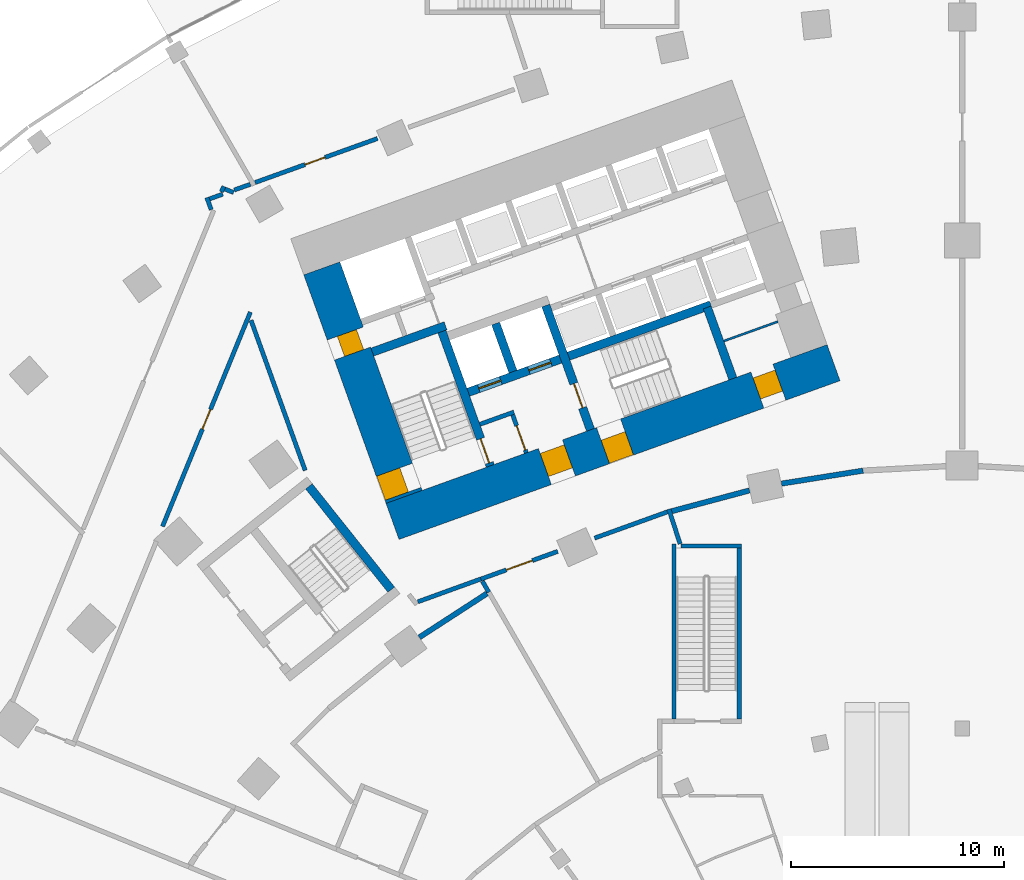
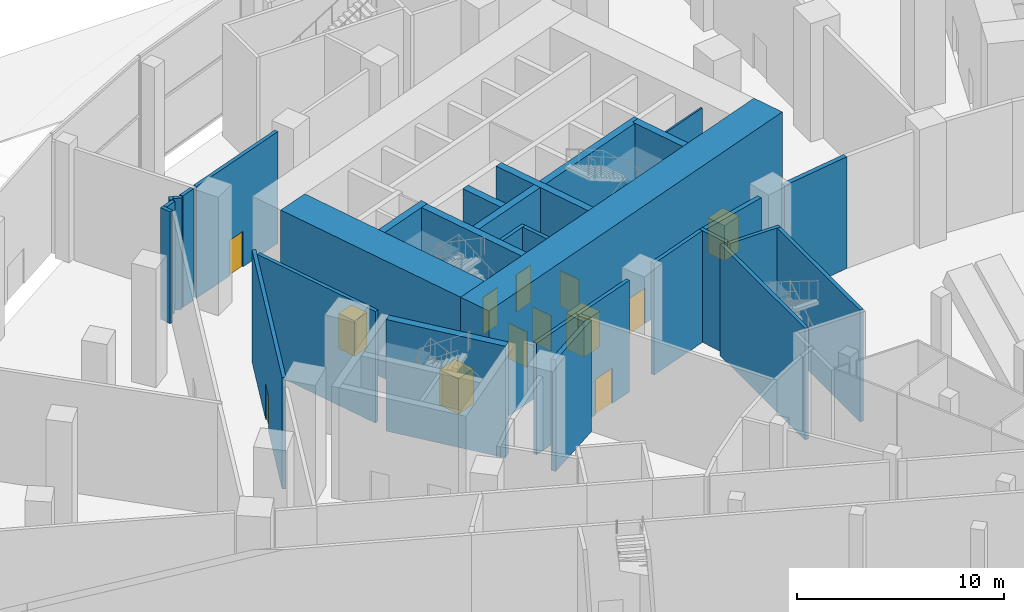
# One storey, part 32 of 60: 31 walls, 13 doors, 13 openings.
"""IFC4 building model written with IfcOpenShell, lengths in metres."""

from ifc_helpers import new_model, si_unit, direction, frame, frame_2d, origin, place, context, subcontext, project, spatial, rectangle, extrude, material, layer, layer_set, type_object, element, fill, save


model = new_model("IFC4")

# Units and contexts
model_context = context("Model", 3, precision=1e-05, world=origin(), true_north=direction((0.0, 1.0)))
body_context = subcontext(model_context, "Body", "Model", "MODEL_VIEW")
ifc_project = project(units=[si_unit("LENGTHUNIT", "METRE"), si_unit("AREAUNIT", "SQUARE_METRE"), si_unit("VOLUMEUNIT", "CUBIC_METRE"), si_unit("PLANEANGLEUNIT", "RADIAN"), si_unit("MASSUNIT", "GRAM", prefix="KILO")], contexts=[model_context])

# Site, building, storey
site_placement = place(None, origin())
site = spatial("IfcSite", under=ifc_project, at=site_placement, CompositionType="ELEMENT")
building_placement = place(site_placement, origin())
building = spatial("IfcBuilding", under=site, at=building_placement, Name="Stone Belt Terrace Tower", CompositionType="ELEMENT")
storey_placement = place(building_placement, origin())
storey = spatial("IfcBuildingStorey", under=building, at=storey_placement, Name="L00", CompositionType="ELEMENT", Elevation=0.0)

# Walls
ifc_material_1 = material(Name="Concrete B30", Category="concrete")
ifc_layer_1 = layer(ifc_material_1, 0.25)
ifc_layer_set_1 = layer_set([ifc_layer_1], Name="Compartment wall 250")
wall_type_1 = type_object("IfcWallType", Name="Compartment wall 250", PredefinedType="SOLIDWALL", material=ifc_layer_set_1)
wall_1_placement = place(storey_placement, frame((-25.478515625, 36.376220703125, 0.0), z_axis=(0.0, 0.0, 1.0), x_axis=(0.838942975709, 0.544219334008, 0.0)))
element("IfcWall", 1, at=wall_1_placement, inside=storey, type_object=wall_type_1, Name="Compartment wall L00 3", PredefinedType="SOLIDWALL", context=body_context, shape_type="SweptSolid", body=[
    extrude(rectangle(XDim=3.783935546875, YDim=0.25, at=frame_2d((1.89208984375, 0.0))), origin(), (0.0, 0.0, 1.0), 6.60009765625),
])
ifc_material_2 = material(Name="Plasterboard partition")
ifc_layer_2 = layer(ifc_material_2, 0.10009765625)
ifc_layer_set_2 = layer_set([ifc_layer_2], Name="Core partition 100")
wall_type_2 = type_object("IfcWallType", Name="Core partition 100", PredefinedType="PARTITIONING", material=ifc_layer_set_2)
wall_2_placement = place(storey_placement, frame((-11.187744140625, 50.2822265625, 0.0), z_axis=(0.0, 0.0, 1.0), x_axis=(0.940949642365, 0.338546555931, 0.0)))
element("IfcWall", 2, at=wall_2_placement, inside=storey, type_object=wall_type_2, Name="Core A wall", PredefinedType="PARTITIONING", context=body_context, shape_type="SweptSolid", body=[
    extrude(rectangle(XDim=2.699951171875, YDim=0.10009765625, at=frame_2d((1.35009765625, 0.0))), origin(), (0.0, 0.0, 1.0), 6.60009765625),
])

# Wall, openings, doors
ifc_material_3 = material(Name="Concrete B80", Category="concrete")
ifc_layer_3 = layer(ifc_material_3, 1.800048828125)
ifc_layer_set_3 = layer_set([ifc_layer_3], Name="Core wall 1800 B80")
wall_type_3 = type_object("IfcWallType", Name="Core wall 1800 B80", PredefinedType="SHEAR", material=ifc_layer_set_3)
wall_3_placement = place(storey_placement, frame((-26.739501953125, 41.815673828125, 0.0), z_axis=(0.0, 0.0, 1.0), x_axis=(0.940921642213, 0.338624368902, 0.0)))
wall_3 = element("IfcWall", 3, at=wall_3_placement, inside=storey, type_object=wall_type_3, Name="Core A wall concave L00", PredefinedType="SHEAR", context=body_context, shape_type="SweptSolid", body=[
    extrude(rectangle(XDim=22.0, YDim=1.800048828125, at=frame_2d((11.0, 0.0))), origin(), (0.0, 0.0, 1.0), 7.0),
])
opening_1_placement = place(wall_3_placement, frame((7.60009765625, 0.0, 0.0)))
opening_1 = element("IfcOpeningElement", 4, at=opening_1_placement, cuts=wall_3, Name="Opening L00-C07", PredefinedType="OPENING", context=body_context, shape_type="SweptSolid", body=[
    extrude(rectangle(XDim=1.199951171875, YDim=2.10009765625, at=frame_2d((0.60009765625, 1.050048828125))), frame((0.0, 0.909912109375, 0.0), z_axis=(0.0, -1.0, 0.0), x_axis=(1.0, 0.0, 0.0)), (0.0, 0.0, 1.0), 1.820068359375),
])
opening_2_placement = place(wall_3_placement, frame((10.5, 0.0, 0.0)))
opening_2 = element("IfcOpeningElement", 5, at=opening_2_placement, cuts=wall_3, Name="Opening L00-C10", PredefinedType="OPENING", context=body_context, shape_type="SweptSolid", body=[
    extrude(rectangle(XDim=1.199951171875, YDim=2.10009765625, at=frame_2d((0.60009765625, 1.050048828125))), frame((0.0, 0.909912109375, 0.0), z_axis=(0.0, -1.0, 0.0), x_axis=(1.0, 0.0, 0.0)), (0.0, 0.0, 1.0), 1.820068359375),
])
opening_3_placement = place(wall_3_placement, frame((18.199951171875, 0.0, 0.0)))
opening_3 = element("IfcOpeningElement", 6, at=opening_3_placement, cuts=wall_3, Name="Opening L00-C12", PredefinedType="OPENING", context=body_context, shape_type="SweptSolid", body=[
    extrude(rectangle(XDim=1.10009765625, YDim=2.10009765625, at=frame_2d((0.550048828125, 1.050048828125))), frame((0.0, 0.909912109375, 0.0), z_axis=(0.0, -1.0, 0.0), x_axis=(1.0, 0.0, 0.0)), (0.0, 0.0, 1.0), 1.820068359375),
])
ifc_material_4 = material(Name="Timber door leaf", Category="wood")
door_type_1 = type_object("IfcDoorType", Name="Core room door 1100", OperationType="SINGLE_SWING_LEFT", PredefinedType="DOOR", material=ifc_material_4)
door_1_placement = place(opening_3_placement, origin())
door_1 = element("IfcDoor", 7, at=door_1_placement, inside=storey, type_object=door_type_1, Name="Door to Cleaner's store core A", OperationType="SINGLE_SWING_LEFT", OverallHeight=2.10009765625, OverallWidth=1.10009765625, PredefinedType="DOOR", context=body_context, shape_type="SweptSolid", body=[
    extrude(rectangle(XDim=1.10009765625, YDim=2.10009765625, at=frame_2d((0.550048828125, 1.050048828125))), frame((0.0, 0.60498046875, 0.0), z_axis=(0.0, -1.0, 0.0), x_axis=(1.0, 0.0, 0.0)), (0.0, 0.0, 1.0), 1.050048828125),
])
fill(opening_3, door_1)
ifc_material_5 = material(Name="Steel door leaf", Category="steel")
door_type_2 = type_object("IfcDoorType", Name="Fire-fighting lobby door 1200", OperationType="SINGLE_SWING_LEFT", PredefinedType="DOOR", material=ifc_material_5)
door_2_placement = place(opening_1_placement, origin())
door_2 = element("IfcDoor", 8, at=door_2_placement, inside=storey, type_object=door_type_2, Name="Fire-fighting lobby door core A", OperationType="SINGLE_SWING_LEFT", OverallHeight=2.10009765625, OverallWidth=1.199951171875, PredefinedType="DOOR", context=body_context, shape_type="SweptSolid", body=[
    extrude(rectangle(XDim=1.199951171875, YDim=2.10009765625, at=frame_2d((0.60009765625, 1.050048828125))), frame((0.0, 0.655029296875, 0.0), z_axis=(0.0, -1.0, 0.0), x_axis=(1.0, 0.0, 0.0)), (0.0, 0.0, 1.0), 1.14990234375),
])
fill(opening_1, door_2)
door_type_3 = type_object("IfcDoorType", Name="Stair door 1200", OperationType="SINGLE_SWING_LEFT", PredefinedType="DOOR", material=ifc_material_5)
door_3_placement = place(opening_2_placement, origin())
door_3 = element("IfcDoor", 9, at=door_3_placement, inside=storey, type_object=door_type_3, Name="Stair 2 exit door core A", OperationType="SINGLE_SWING_RIGHT", OverallHeight=2.10009765625, OverallWidth=1.199951171875, PredefinedType="DOOR", context=body_context, shape_type="SweptSolid", body=[
    extrude(rectangle(XDim=1.199951171875, YDim=2.10009765625, at=frame_2d((0.60009765625, 1.050048828125))), frame((0.0, 0.27001953125, 0.0), z_axis=(0.0, -1.0, 0.0), x_axis=(1.0, 0.0, 0.0)), (0.0, 0.0, 1.0), 1.14990234375),
])
fill(opening_2, door_3)

wall_4_placement = place(storey_placement, frame((-26.197509765625, 42.96728515625, 0.0), z_axis=(0.0, 0.0, 1.0), x_axis=(-0.338625431531, 0.940921259788, 0.0)))
wall_4 = element("IfcWall", 10, at=wall_4_placement, inside=storey, type_object=wall_type_3, Name="Core A wall end_a L00", PredefinedType="SHEAR", context=body_context, shape_type="SweptSolid", body=[
    extrude(rectangle(XDim=11.400146484375, YDim=1.800048828125, at=frame_2d((5.7001953125, 0.0))), origin(), (0.0, 0.0, 1.0), 7.0),
])
opening_4_placement = place(wall_4_placement, frame((7.150146484375, 0.0, 0.0)))
opening_4 = element("IfcOpeningElement", 11, at=opening_4_placement, cuts=wall_4, Name="Opening L00-C01", PredefinedType="OPENING", context=body_context, shape_type="SweptSolid", body=[
    extrude(rectangle(XDim=1.0, YDim=2.10009765625, at=frame_2d((0.5, 1.050048828125))), frame((0.0, 0.909912109375, 0.0), z_axis=(0.0, -1.0, 0.0), x_axis=(1.0, 0.0, 0.0)), (0.0, 0.0, 1.0), 1.820068359375),
])
opening_5_placement = place(wall_4_placement, frame((0.14990234375, 0.0, 0.0)))
opening_5 = element("IfcOpeningElement", 12, at=opening_5_placement, cuts=wall_4, Name="Opening L00-C09", PredefinedType="OPENING", context=body_context, shape_type="SweptSolid", body=[
    extrude(rectangle(XDim=1.199951171875, YDim=2.10009765625, at=frame_2d((0.60009765625, 1.050048828125))), frame((0.0, 0.909912109375, 0.0), z_axis=(0.0, -1.0, 0.0), x_axis=(1.0, 0.0, 0.0)), (0.0, 0.0, 1.0), 1.820068359375),
])
door_type_4 = type_object("IfcDoorType", Name="Core room door 1000", OperationType="SINGLE_SWING_LEFT", PredefinedType="DOOR", material=ifc_material_4)
door_4_placement = place(opening_4_placement, origin())
door_4 = element("IfcDoor", 13, at=door_4_placement, inside=storey, type_object=door_type_4, Name="Door to Telecommunications riser room core A", OperationType="SINGLE_SWING_RIGHT", OverallHeight=2.10009765625, OverallWidth=1.0, PredefinedType="DOOR", context=body_context, shape_type="SweptSolid", body=[
    extrude(rectangle(XDim=1.0, YDim=2.10009765625, at=frame_2d((0.5, 1.050048828125))), frame((0.0, 0.39501953125, 0.0), z_axis=(0.0, -1.0, 0.0), x_axis=(1.0, 0.0, 0.0)), (0.0, 0.0, 1.0), 0.949951171875),
])
fill(opening_4, door_4)
door_5_placement = place(opening_5_placement, origin())
door_5 = element("IfcDoor", 14, at=door_5_placement, inside=storey, type_object=door_type_3, Name="Stair 1 exit door core A", OperationType="SINGLE_SWING_LEFT", OverallHeight=2.10009765625, OverallWidth=1.199951171875, PredefinedType="DOOR", context=body_context, shape_type="SweptSolid", body=[
    extrude(rectangle(XDim=1.199951171875, YDim=2.10009765625, at=frame_2d((0.60009765625, 1.050048828125))), frame((0.0, 0.8798828125, 0.0), z_axis=(0.0, -1.0, 0.0), x_axis=(1.0, 0.0, 0.0)), (0.0, 0.0, 1.0), 1.14990234375),
])
fill(opening_5, door_5)

# Walls
ifc_layer_4 = layer(ifc_material_3, 0.39990234375)
ifc_layer_set_4 = layer_set([ifc_layer_4], Name="Fire-fighting lift shaft wall 400")
wall_type_4 = type_object("IfcWallType", Name="Fire-fighting lift shaft wall 400", PredefinedType="SHEAR", material=ifc_layer_set_4)
wall_5_placement = place(storey_placement, frame((-21.0859375, 48.845458984375, 0.0), z_axis=(0.0, 0.0, 1.0), x_axis=(-0.338629416206, 0.940919825745, 0.0)))
element("IfcWall", 15, at=wall_5_placement, inside=storey, type_object=wall_type_4, Name="Core A wall", PredefinedType="SHEAR", context=body_context, shape_type="SweptSolid", body=[
    extrude(rectangle(XDim=2.400146484375, YDim=0.39990234375, at=frame_2d((1.2001953125, 0.0))), origin(), (0.0, 0.0, 1.0), 6.60009765625),
])
ifc_material_6 = material(Name="Fire-resistant glazing in steel frame", Category="steel")
ifc_layer_5 = layer(ifc_material_6, 0.25)
ifc_layer_set_5 = layer_set([ifc_layer_5], Name="Glazed compartment fire screen 250")
wall_type_5 = type_object("IfcWallType", Name="Glazed compartment fire screen 250", PredefinedType="PARTITIONING", material=ifc_layer_set_5)
wall_6_placement = place(storey_placement, frame((-13.63330078125, 42.2958984375, 0.0), z_axis=(0.0, 0.0, 1.0), x_axis=(0.966100738004, 0.258165381159, 0.0)))
element("IfcWall", 16, at=wall_6_placement, inside=storey, type_object=wall_type_5, Name="Compartment fire screen L00 4", PredefinedType="PARTITIONING", context=body_context, shape_type="SweptSolid", body=[
    extrude(rectangle(XDim=3.778076171875, YDim=0.25, at=frame_2d((1.88916015625, 0.0))), origin(), (0.0, 0.0, 1.0), 6.60009765625),
])
wall_7_placement = place(storey_placement, frame((-8.4794921875, 43.5908203125, 0.0), z_axis=(0.0, 0.0, 1.0), x_axis=(0.98758230791, 0.157102466888, 0.0)))
element("IfcWall", 17, at=wall_7_placement, inside=storey, type_object=wall_type_5, Name="Compartment fire screen L00 5", PredefinedType="PARTITIONING", context=body_context, shape_type="SweptSolid", body=[
    extrude(rectangle(XDim=3.87109375, YDim=0.25, at=frame_2d((1.935546875, 0.0))), origin(), (0.0, 0.0, 1.0), 6.60009765625),
])

# Wall, opening, door
ifc_material_7 = material(Name="Blockwork wall, plastered both faces", Category="masonry")
ifc_layer_6 = layer(ifc_material_7, 0.199951171875)
ifc_layer_set_6 = layer_set([ifc_layer_6], Name="Podium demising wall 200")
wall_type_6 = type_object("IfcWallType", Name="Podium demising wall 200", PredefinedType="PARTITIONING", material=ifc_layer_set_6)
wall_8_placement = place(storey_placement, frame((-37.53515625, 41.58251953125, 0.0), z_axis=(0.0, 0.0, 1.0), x_axis=(0.379263463295, 0.925288725431, 0.0)))
wall_8 = element("IfcWall", 18, at=wall_8_placement, inside=storey, type_object=wall_type_6, Name="Podium demising wall 200", PredefinedType="PARTITIONING", context=body_context, shape_type="SweptSolid", body=[
    extrude(rectangle(XDim=10.867431640625, YDim=0.199951171875, at=frame_2d((5.43359375, 0.0))), origin(), (0.0, 0.0, 1.0), 6.60009765625),
])
opening_6_placement = place(wall_8_placement, frame((4.93359375, 0.0, 0.0)))
opening_6 = element("IfcOpeningElement", 19, at=opening_6_placement, cuts=wall_8, Name="Opening L00-P27", PredefinedType="OPENING", context=body_context, shape_type="SweptSolid", body=[
    extrude(rectangle(XDim=1.0, YDim=2.10009765625, at=frame_2d((0.5, 1.050048828125))), frame((0.0, 0.10986328125, 0.0), z_axis=(0.0, -1.0, 0.0), x_axis=(1.0, 0.0, 0.0)), (0.0, 0.0, 1.0), 0.219970703125),
])
ifc_material_8 = material(Name="Steel framed door leaf", Category="steel")
door_type_5 = type_object("IfcDoorType", Name="Podium door single 1000", OperationType="SINGLE_SWING_LEFT", PredefinedType="DOOR", material=ifc_material_8)
door_6_placement = place(opening_6_placement, origin())
door_6 = element("IfcDoor", 20, at=door_6_placement, inside=storey, type_object=door_type_5, Name="Podium door single 1000", OperationType="SINGLE_SWING_LEFT", OverallHeight=2.10009765625, OverallWidth=1.0, PredefinedType="DOOR", context=body_context, shape_type="SweptSolid", body=[
    extrude(rectangle(XDim=1.0, YDim=2.10009765625, at=frame_2d((0.5, 1.050048828125))), frame((0.0, 0.02490234375, 0.0), z_axis=(0.0, -1.0, 0.0), x_axis=(1.0, 0.0, 0.0)), (0.0, 0.0, 1.0), 0.050048828125),
])
fill(opening_6, door_6)

# Walls
wall_9_placement = place(storey_placement, frame((-35.453857421875, 57.01416015625, 0.0), z_axis=(0.0, 0.0, 1.0), x_axis=(0.338260388571, -0.941052554071, 0.0)))
element("IfcWall", 21, at=wall_9_placement, inside=storey, type_object=wall_type_6, Name="Podium demising wall 200", PredefinedType="PARTITIONING", context=body_context, shape_type="SweptSolid", body=[
    extrude(rectangle(XDim=0.602783203125, YDim=0.199951171875, at=frame_2d((0.30126953125, 0.0))), origin(), (0.0, 0.0, 1.0), 6.60009765625),
])
wall_10_placement = place(storey_placement, frame((-35.325927734375, 56.9541015625, 0.0), z_axis=(0.0, 0.0, 1.0), x_axis=(0.940282310296, 0.340395618279, 0.0)))
element("IfcWall", 22, at=wall_10_placement, inside=storey, type_object=wall_type_6, Name="Podium demising wall 200", PredefinedType="PARTITIONING", context=body_context, shape_type="SweptSolid", body=[
    extrude(rectangle(XDim=0.65478515625, YDim=0.199951171875, at=frame_2d((0.327392578125, 0.0))), origin(), (0.0, 0.0, 1.0), 6.60009765625),
])
wall_11_placement = place(storey_placement, frame((-34.772705078125, 57.283935546875, 0.0), z_axis=(0.0, 0.0, 1.0), x_axis=(0.40081883402, 0.916157334902, 0.0)))
element("IfcWall", 23, at=wall_11_placement, inside=storey, type_object=wall_type_6, Name="Podium demising wall 200", PredefinedType="PARTITIONING", context=body_context, shape_type="SweptSolid", body=[
    extrude(rectangle(XDim=0.281494140625, YDim=0.199951171875, at=frame_2d((0.140625, 0.0))), origin(), (0.0, 0.0, 1.0), 6.60009765625),
])
wall_12_placement = place(storey_placement, frame((-34.606689453125, 57.413818359375, 0.0), z_axis=(0.0, 0.0, 1.0), x_axis=(0.931962923306, -0.362553595463, 0.0)))
element("IfcWall", 24, at=wall_12_placement, inside=storey, type_object=wall_type_6, Name="Podium demising wall 200", PredefinedType="PARTITIONING", context=body_context, shape_type="SweptSolid", body=[
    extrude(rectangle(XDim=0.43896484375, YDim=0.199951171875, at=frame_2d((0.219482421875, 0.0))), origin(), (0.0, 0.0, 1.0), 6.60009765625),
])
wall_13_placement = place(storey_placement, frame((-34.16943359375, 57.37060546875, 0.0), z_axis=(0.0, 0.0, 1.0), x_axis=(0.942105887189, 0.335315519061, 0.0)))
element("IfcWall", 25, at=wall_13_placement, inside=storey, type_object=wall_type_6, Name="Podium demising wall 200", PredefinedType="PARTITIONING", context=body_context, shape_type="SweptSolid", body=[
    extrude(rectangle(XDim=0.802978515625, YDim=0.199951171875, at=frame_2d((0.4013671875, 0.0))), origin(), (0.0, 0.0, 1.0), 6.60009765625),
])
wall_14_placement = place(storey_placement, frame((-33.382080078125, 51.25634765625, 0.0), z_axis=(0.0, 0.0, 1.0), x_axis=(0.339344914253, -0.940662016439, 0.0)))
element("IfcWall", 26, at=wall_14_placement, inside=storey, type_object=wall_type_6, Name="Podium demising wall 200", PredefinedType="PARTITIONING", context=body_context, shape_type="SweptSolid", body=[
    extrude(rectangle(XDim=7.490966796875, YDim=0.199951171875, at=frame_2d((3.74560546875, 0.0))), origin(), (0.0, 0.0, 1.0), 6.60009765625),
])

# Wall, opening, door
wall_15_placement = place(storey_placement, frame((-33.19140625, 57.72265625, 0.0), z_axis=(0.0, 0.0, 1.0), x_axis=(0.940992368131, 0.338427781247, 0.0)))
wall_15 = element("IfcWall", 27, at=wall_15_placement, inside=storey, type_object=wall_type_6, Name="Podium demising wall 200", PredefinedType="PARTITIONING", context=body_context, shape_type="SweptSolid", body=[
    extrude(rectangle(XDim=6.10595703125, YDim=0.199951171875, at=frame_2d((3.052978515625, 0.0))), origin(), (0.0, 0.0, 1.0), 6.60009765625),
])
opening_7_placement = place(wall_15_placement, frame((2.489990234375, 0.0, 0.0)))
opening_7 = element("IfcOpeningElement", 28, at=opening_7_placement, cuts=wall_15, Name="Opening L00-P28", PredefinedType="OPENING", context=body_context, shape_type="SweptSolid", body=[
    extrude(rectangle(XDim=1.0, YDim=2.10009765625, at=frame_2d((0.5, 1.050048828125))), frame((0.0, 0.10986328125, 0.0), z_axis=(0.0, -1.0, 0.0), x_axis=(1.0, 0.0, 0.0)), (0.0, 0.0, 1.0), 0.219970703125),
])
door_7_placement = place(opening_7_placement, origin())
door_7 = element("IfcDoor", 29, at=door_7_placement, inside=storey, type_object=door_type_5, Name="Podium door single 1000", OperationType="SINGLE_SWING_RIGHT", OverallHeight=2.10009765625, OverallWidth=1.0, PredefinedType="DOOR", context=body_context, shape_type="SweptSolid", body=[
    extrude(rectangle(XDim=1.0, YDim=2.10009765625, at=frame_2d((0.5, 1.050048828125))), frame((0.0, 0.02490234375, 0.0), z_axis=(0.0, -1.0, 0.0), x_axis=(1.0, 0.0, 0.0)), (0.0, 0.0, 1.0), 0.050048828125),
])
fill(opening_7, door_7)

# Wall
wall_16_placement = place(storey_placement, frame((-25.55029296875, 38.04345703125, 0.0), z_axis=(0.0, 0.0, 1.0), x_axis=(0.940150986103, 0.340758159593, 0.0)))
element("IfcWall", 30, at=wall_16_placement, inside=storey, type_object=wall_type_6, Name="Podium demising wall 200", PredefinedType="PARTITIONING", context=body_context, shape_type="SweptSolid", body=[
    extrude(rectangle(XDim=3.145263671875, YDim=0.199951171875, at=frame_2d((1.57275390625, 0.0))), origin(), (0.0, 0.0, 1.0), 6.60009765625),
])

# Wall, opening, door
wall_17_placement = place(storey_placement, frame((-22.590087890625, 39.110107421875, 0.0), z_axis=(0.0, 0.0, 1.0), x_axis=(0.940763016755, 0.339064811365, 0.0)))
wall_17 = element("IfcWall", 31, at=wall_17_placement, inside=storey, type_object=wall_type_6, Name="Podium demising wall 200", PredefinedType="PARTITIONING", context=body_context, shape_type="SweptSolid", body=[
    extrude(rectangle(XDim=3.829833984375, YDim=0.199951171875, at=frame_2d((1.9150390625, 0.0))), origin(), (0.0, 0.0, 1.0), 6.60009765625),
])
opening_8_placement = place(wall_17_placement, frame((1.264892578125, 0.0, 0.0)))
opening_8 = element("IfcOpeningElement", 32, at=opening_8_placement, cuts=wall_17, Name="Opening L00-P29", PredefinedType="OPENING", context=body_context, shape_type="SweptSolid", body=[
    extrude(rectangle(XDim=1.300048828125, YDim=2.10009765625, at=frame_2d((0.64990234375, 1.050048828125))), frame((0.0, 0.10986328125, 0.0), z_axis=(0.0, -1.0, 0.0), x_axis=(1.0, 0.0, 0.0)), (0.0, 0.0, 1.0), 0.219970703125),
])
ifc_material_9 = material(Name="Steel framed fire door leaf", Category="steel")
door_type_6 = type_object("IfcDoorType", Name="Fire door 1300 x 2100 EI 60", OperationType="SINGLE_SWING_LEFT", PredefinedType="DOOR", material=ifc_material_9)
door_8_placement = place(opening_8_placement, origin())
door_8 = element("IfcDoor", 33, at=door_8_placement, inside=storey, type_object=door_type_6, Name="Fire door 1300 x 2100 EI 60", OperationType="SINGLE_SWING_LEFT", OverallHeight=2.10009765625, OverallWidth=1.300048828125, PredefinedType="DOOR", context=body_context, shape_type="SweptSolid", body=[
    extrude(rectangle(XDim=1.300048828125, YDim=2.10009765625, at=frame_2d((0.64990234375, 1.050048828125))), frame((0.0, 0.02490234375, 0.0), z_axis=(0.0, -1.0, 0.0), x_axis=(1.0, 0.0, 0.0)), (0.0, 0.0, 1.0), 0.050048828125),
])
fill(opening_8, door_8)

# Walls
wall_18_placement = place(storey_placement, frame((-17.25341796875, 41.03369140625, 0.0), z_axis=(0.0, 0.0, 1.0), x_axis=(0.940767339238, 0.339052818044, 0.0)))
element("IfcWall", 34, at=wall_18_placement, inside=storey, type_object=wall_type_6, Name="Podium demising wall 200", PredefinedType="PARTITIONING", context=body_context, shape_type="SweptSolid", body=[
    extrude(rectangle(XDim=3.630615234375, YDim=0.199951171875, at=frame_2d((1.8154296875, 0.0))), origin(), (0.0, 0.0, 1.0), 6.60009765625),
])
wall_19_placement = place(storey_placement, frame((-22.521728515625, 39.009765625, 0.0), z_axis=(0.0, 0.0, 1.0), x_axis=(0.501772812563, -0.86499944773, 0.0)))
element("IfcWall", 35, at=wall_19_placement, inside=storey, type_object=wall_type_6, Name="Podium demising wall 200", PredefinedType="PARTITIONING", context=body_context, shape_type="SweptSolid", body=[
    extrude(rectangle(XDim=0.600830078125, YDim=0.199951171875, at=frame_2d((0.30029296875, 0.0))), origin(), (0.0, 0.0, 1.0), 6.60009765625),
])
wall_20_placement = place(storey_placement, frame((-13.7685546875, 42.38916015625, 0.0), z_axis=(0.0, 0.0, 1.0), x_axis=(0.307444388482, -0.951566050251, 0.0)))
element("IfcWall", 36, at=wall_20_placement, inside=storey, type_object=wall_type_6, Name="Podium demising wall 200", PredefinedType="PARTITIONING", context=body_context, shape_type="SweptSolid", body=[
    extrude(rectangle(XDim=1.712158203125, YDim=0.199951171875, at=frame_2d((0.85595703125, 0.0))), origin(), (0.0, 0.0, 1.0), 6.60009765625),
])
ifc_layer_7 = layer(ifc_material_1, 0.199951171875)
ifc_layer_set_7 = layer_set([ifc_layer_7], Name="Podium stair and shaft wall 200")
wall_type_7 = type_object("IfcWallType", Name="Podium stair and shaft wall 200", PredefinedType="SOLIDWALL", material=ifc_layer_set_7)
wall_21_placement = place(storey_placement, frame((-13.530029296875, 32.5400390625, 0.0), z_axis=(0.0, 0.0, 1.0), x_axis=(0.0, 1.0, 0.0)))
element("IfcWall", 37, at=wall_21_placement, inside=storey, type_object=wall_type_7, Name="Podium stair and shaft wall 200", PredefinedType="SOLIDWALL", context=body_context, shape_type="SweptSolid", body=[
    extrude(rectangle(XDim=8.219970703125, YDim=0.199951171875, at=frame_2d((4.10986328125, 0.0))), origin(), (0.0, 0.0, 1.0), 6.60009765625),
])
wall_22_placement = place(storey_placement, frame((-13.2099609375, 40.659912109375, 0.0), z_axis=(0.0, 0.0, 1.0), x_axis=(1.0, 0.0, 0.0)))
element("IfcWall", 38, at=wall_22_placement, inside=storey, type_object=wall_type_7, Name="Podium stair and shaft wall 200", PredefinedType="SOLIDWALL", context=body_context, shape_type="SweptSolid", body=[
    extrude(rectangle(XDim=2.83984375, YDim=0.199951171875, at=frame_2d((1.419921875, 0.0))), origin(), (0.0, 0.0, 1.0), 6.60009765625),
])
wall_23_placement = place(storey_placement, frame((-10.469970703125, 32.5400390625, 0.0), z_axis=(0.0, 0.0, 1.0), x_axis=(0.0, 1.0, 0.0)))
element("IfcWall", 39, at=wall_23_placement, inside=storey, type_object=wall_type_7, Name="Podium stair and shaft wall 200", PredefinedType="SOLIDWALL", context=body_context, shape_type="SweptSolid", body=[
    extrude(rectangle(XDim=8.02001953125, YDim=0.199951171875, at=frame_2d((4.010009765625, 0.0))), origin(), (0.0, 0.0, 1.0), 6.60009765625),
])
ifc_material_10 = material(Name="Concrete masonry block", Category="masonry")
ifc_layer_8 = layer(ifc_material_10, 0.199951171875)
ifc_layer_set_8 = layer_set([ifc_layer_8], Name="Rated lobby wall 200")
wall_type_8 = type_object("IfcWallType", Name="Rated lobby wall 200", PredefinedType="PARTITIONING", material=ifc_layer_set_8)
wall_24_placement = place(storey_placement, frame((-22.640625, 46.373046875, 0.0), z_axis=(0.0, 0.0, 1.0), x_axis=(0.940966110313, 0.338500781747, 0.0)))
element("IfcWall", 40, at=wall_24_placement, inside=storey, type_object=wall_type_8, Name="Core A wall", PredefinedType="PARTITIONING", context=body_context, shape_type="SweptSolid", body=[
    extrude(rectangle(XDim=1.699951171875, YDim=0.199951171875, at=frame_2d((0.85009765625, 0.0))), origin(), (0.0, 0.0, 1.0), 6.60009765625),
])

# Wall, opening, door
wall_25_placement = place(storey_placement, frame((-20.4580078125, 45.032958984375, 0.0), z_axis=(0.0, 0.0, 1.0), x_axis=(-0.338573865316, 0.940939816208, 0.0)))
wall_25 = element("IfcWall", 41, at=wall_25_placement, inside=storey, type_object=wall_type_8, Name="Core A wall", PredefinedType="PARTITIONING", context=body_context, shape_type="SweptSolid", body=[
    extrude(rectangle(XDim=1.900146484375, YDim=0.199951171875, at=frame_2d((0.9501953125, 0.0))), origin(), (0.0, 0.0, 1.0), 6.60009765625),
])
opening_9_placement = place(wall_25_placement, frame((0.14990234375, 0.0, 0.0)))
opening_9 = element("IfcOpeningElement", 42, at=opening_9_placement, cuts=wall_25, Name="Opening L00-C06", PredefinedType="OPENING", context=body_context, shape_type="SweptSolid", body=[
    extrude(rectangle(XDim=1.199951171875, YDim=2.10009765625, at=frame_2d((0.60009765625, 1.050048828125))), frame((0.0, 0.10986328125, 0.0), z_axis=(0.0, -1.0, 0.0), x_axis=(1.0, 0.0, 0.0)), (0.0, 0.0, 1.0), 0.219970703125),
])
door_9_placement = place(opening_9_placement, origin())
door_9 = element("IfcDoor", 43, at=door_9_placement, inside=storey, type_object=door_type_3, Name="Stair airlock door core A", OperationType="SINGLE_SWING_LEFT", OverallHeight=2.10009765625, OverallWidth=1.199951171875, PredefinedType="DOOR", context=body_context, shape_type="SweptSolid", body=[
    extrude(rectangle(XDim=1.199951171875, YDim=2.10009765625, at=frame_2d((0.60009765625, 1.050048828125))), frame((0.0, 0.02490234375, 0.0), z_axis=(0.0, -1.0, 0.0), x_axis=(1.0, 0.0, 0.0)), (0.0, 0.0, 1.0), 0.050048828125),
])
fill(opening_9, door_9)

# Wall
ifc_layer_9 = layer(ifc_material_3, 0.39990234375)
ifc_layer_set_9 = layer_set([ifc_layer_9], Name="Stair enclosure wall 400")
wall_type_9 = type_object("IfcWallType", Name="Stair enclosure wall 400", PredefinedType="SHEAR", material=ifc_layer_set_9)
wall_26_placement = place(storey_placement, frame((-27.687255859375, 49.764404296875, 0.0), z_axis=(0.0, 0.0, 1.0), x_axis=(0.940918954884, 0.338631835981, 0.0)))
element("IfcWall", 44, at=wall_26_placement, inside=storey, type_object=wall_type_9, Name="Core A wall", PredefinedType="SHEAR", context=body_context, shape_type="SweptSolid", body=[
    extrude(rectangle(XDim=3.650146484375, YDim=0.39990234375, at=frame_2d((1.8251953125, 0.0))), origin(), (0.0, 0.0, 1.0), 6.60009765625),
])

# Wall, opening, door
wall_27_placement = place(storey_placement, frame((-22.151611328125, 44.42333984375, 0.0), z_axis=(0.0, 0.0, 1.0), x_axis=(-0.338625272931, 0.940921316866, 0.0)))
wall_27 = element("IfcWall", 45, at=wall_27_placement, inside=storey, type_object=wall_type_9, Name="Core A wall", PredefinedType="SHEAR", context=body_context, shape_type="SweptSolid", body=[
    extrude(rectangle(XDim=6.699951171875, YDim=0.39990234375, at=frame_2d((3.35009765625, 0.0))), origin(), (0.0, 0.0, 1.0), 6.60009765625),
])
opening_10_placement = place(wall_27_placement, frame((0.14990234375, 0.0, 0.0)))
opening_10 = element("IfcOpeningElement", 46, at=opening_10_placement, cuts=wall_27, Name="Opening L00-C05", PredefinedType="OPENING", context=body_context, shape_type="SweptSolid", body=[
    extrude(rectangle(XDim=1.199951171875, YDim=2.10009765625, at=frame_2d((0.60009765625, 1.050048828125))), frame((0.0, 0.2099609375, 0.0), z_axis=(0.0, -1.0, 0.0), x_axis=(1.0, 0.0, 0.0)), (0.0, 0.0, 1.0), 0.419921875),
])
door_10_placement = place(opening_10_placement, origin())
door_10 = element("IfcDoor", 47, at=door_10_placement, inside=storey, type_object=door_type_3, Name="Stair 1 door core A", OperationType="SINGLE_SWING_LEFT", OverallHeight=2.10009765625, OverallWidth=1.199951171875, PredefinedType="DOOR", context=body_context, shape_type="SweptSolid", body=[
    extrude(rectangle(XDim=1.199951171875, YDim=2.10009765625, at=frame_2d((0.60009765625, 1.050048828125))), frame((0.0, 0.02490234375, 0.0), z_axis=(0.0, -1.0, 0.0), x_axis=(1.0, 0.0, 0.0)), (0.0, 0.0, 1.0), 0.050048828125),
])
fill(opening_10, door_10)

# Wall, openings, doors
wall_28_placement = place(storey_placement, frame((-23.182373046875, 47.87841796875, 0.0), z_axis=(0.0, 0.0, 1.0), x_axis=(0.940921101762, 0.338625870628, 0.0)))
wall_28 = element("IfcWall", 48, at=wall_28_placement, inside=storey, type_object=wall_type_9, Name="Core A wall", PredefinedType="SHEAR", context=body_context, shape_type="SweptSolid", body=[
    extrude(rectangle(XDim=12.10009765625, YDim=0.39990234375, at=frame_2d((6.050048828125, 0.0))), origin(), (0.0, 0.0, 1.0), 6.60009765625),
])
opening_11_placement = place(wall_28_placement, frame((0.52001953125, 0.0, 0.0)))
opening_11 = element("IfcOpeningElement", 49, at=opening_11_placement, cuts=wall_28, Name="Opening L00-LD07", PredefinedType="OPENING", context=body_context, shape_type="SweptSolid", body=[
    extrude(rectangle(XDim=1.10009765625, YDim=2.199951171875, at=frame_2d((0.550048828125, 1.10009765625))), frame((0.0, 0.2099609375, 0.0), z_axis=(0.0, -1.0, 0.0), x_axis=(1.0, 0.0, 0.0)), (0.0, 0.0, 1.0), 0.419921875),
])
opening_12_placement = place(wall_28_placement, frame((3.02001953125, 0.0, 0.0)))
opening_12 = element("IfcOpeningElement", 50, at=opening_12_placement, cuts=wall_28, Name="Opening L00-LD08", PredefinedType="OPENING", context=body_context, shape_type="SweptSolid", body=[
    extrude(rectangle(XDim=1.10009765625, YDim=2.199951171875, at=frame_2d((0.550048828125, 1.10009765625))), frame((0.0, 0.2099609375, 0.0), z_axis=(0.0, -1.0, 0.0), x_axis=(1.0, 0.0, 0.0)), (0.0, 0.0, 1.0), 0.419921875),
])
ifc_material_11 = material(Name="Stainless steel door leaf", Category="steel")
door_type_7 = type_object("IfcDoorType", Name="Landing door 1100", OperationType="SLIDING_TO_LEFT", PredefinedType="DOOR", material=ifc_material_11)
door_11_placement = place(opening_11_placement, origin())
door_11 = element("IfcDoor", 51, at=door_11_placement, inside=storey, type_object=door_type_7, Name="Landing door FF1 core A", OperationType="SLIDING_TO_LEFT", OverallHeight=2.199951171875, OverallWidth=1.10009765625, PredefinedType="DOOR", context=body_context, shape_type="SweptSolid", body=[
    extrude(rectangle(XDim=1.10009765625, YDim=2.199951171875, at=frame_2d((0.550048828125, 1.10009765625))), frame((0.0, 0.02490234375, 0.0), z_axis=(0.0, -1.0, 0.0), x_axis=(1.0, 0.0, 0.0)), (0.0, 0.0, 1.0), 0.050048828125),
])
fill(opening_11, door_11)
door_12_placement = place(opening_12_placement, origin())
door_12 = element("IfcDoor", 52, at=door_12_placement, inside=storey, type_object=door_type_7, Name="Landing door FF2 core A", OperationType="SLIDING_TO_LEFT", OverallHeight=2.199951171875, OverallWidth=1.10009765625, PredefinedType="DOOR", context=body_context, shape_type="SweptSolid", body=[
    extrude(rectangle(XDim=1.10009765625, YDim=2.199951171875, at=frame_2d((0.550048828125, 1.10009765625))), frame((0.0, 0.02490234375, 0.0), z_axis=(0.0, -1.0, 0.0), x_axis=(1.0, 0.0, 0.0)), (0.0, 0.0, 1.0), 0.050048828125),
])
fill(opening_12, door_12)

# Wall, opening, door
wall_29_placement = place(storey_placement, frame((-17.447021484375, 46.116455078125, 0.0), z_axis=(0.0, 0.0, 1.0), x_axis=(-0.33860791464, 0.940927563707, 0.0)))
wall_29 = element("IfcWall", 53, at=wall_29_placement, inside=storey, type_object=wall_type_9, Name="Core A wall", PredefinedType="SHEAR", context=body_context, shape_type="SweptSolid", body=[
    extrude(rectangle(XDim=6.199951171875, YDim=0.39990234375, at=frame_2d((3.10009765625, 0.0))), origin(), (0.0, 0.0, 1.0), 6.60009765625),
])
opening_13_placement = place(wall_29_placement, frame((1.10009765625, 0.0, 0.0)))
opening_13 = element("IfcOpeningElement", 54, at=opening_13_placement, cuts=wall_29, Name="Opening L00-C08", PredefinedType="OPENING", context=body_context, shape_type="SweptSolid", body=[
    extrude(rectangle(XDim=1.199951171875, YDim=2.10009765625, at=frame_2d((0.60009765625, 1.050048828125))), frame((0.0, 0.2099609375, 0.0), z_axis=(0.0, -1.0, 0.0), x_axis=(1.0, 0.0, 0.0)), (0.0, 0.0, 1.0), 0.419921875),
])
door_13_placement = place(opening_13_placement, origin())
door_13 = element("IfcDoor", 55, at=door_13_placement, inside=storey, type_object=door_type_3, Name="Stair 2 door core A", OperationType="SINGLE_SWING_LEFT", OverallHeight=2.10009765625, OverallWidth=1.199951171875, PredefinedType="DOOR", context=body_context, shape_type="SweptSolid", body=[
    extrude(rectangle(XDim=1.199951171875, YDim=2.10009765625, at=frame_2d((0.60009765625, 1.050048828125))), frame((0.0, 0.02490234375, 0.0), z_axis=(0.0, -1.0, 0.0), x_axis=(1.0, 0.0, 0.0)), (0.0, 0.0, 1.0), 0.050048828125),
])
fill(opening_13, door_13)

# Walls
wall_30_placement = place(storey_placement, frame((-10.766357421875, 48.520751953125, 0.0), z_axis=(0.0, 0.0, 1.0), x_axis=(-0.338626928157, 0.94092072117, 0.0)))
element("IfcWall", 56, at=wall_30_placement, inside=storey, type_object=wall_type_9, Name="Core A wall", PredefinedType="SHEAR", context=body_context, shape_type="SweptSolid", body=[
    extrude(rectangle(XDim=3.550048828125, YDim=0.39990234375, at=frame_2d((1.77490234375, 0.0))), origin(), (0.0, 0.0, 1.0), 6.60009765625),
])
wall_31_placement = place(storey_placement, frame((-26.7998046875, 38.61328125, 0.0), z_axis=(0.0, 0.0, 1.0), x_axis=(-0.623118653668, 0.782127319208, 0.0)))
element("IfcWall", 57, at=wall_31_placement, inside=storey, type_object=wall_type_9, Name="Exit stair ST3A wall", PredefinedType="SHEAR", context=body_context, shape_type="SweptSolid", body=[
    extrude(rectangle(XDim=6.199951171875, YDim=0.39990234375, at=frame_2d((3.10009765625, 0.0))), origin(), (0.0, 0.0, 1.0), 6.60009765625),
])

save(model, "model.ifc")
